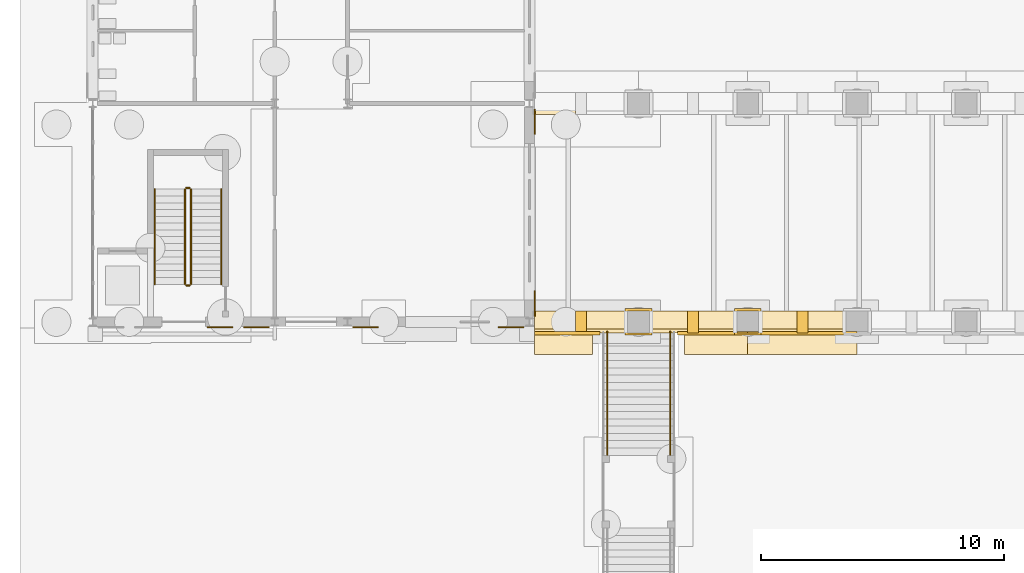
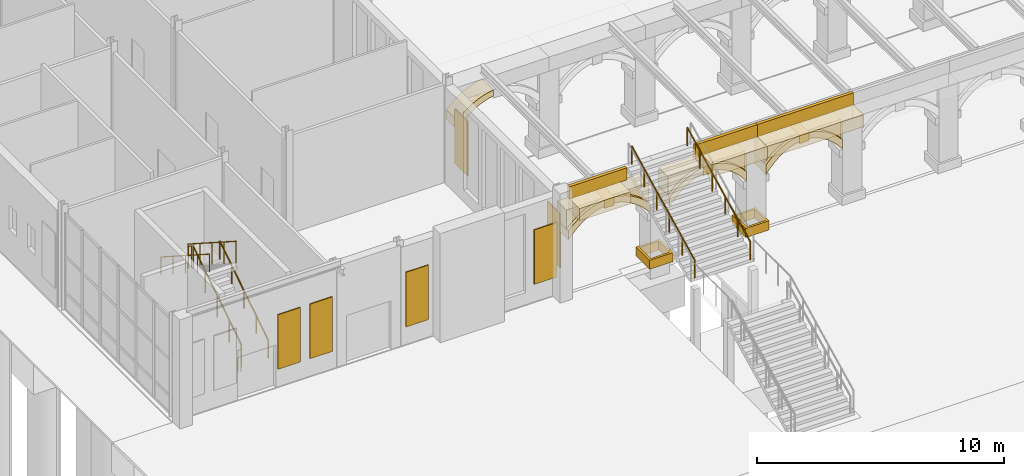
# One storey, part 124 of 168: 30 coverings, 8 railings.
"""IFC4 building model written with IfcOpenShell, lengths in metres."""

from ifc_helpers import new_model, si_unit, direction, frame, origin, origin_2d, place, context, subcontext, project, spatial, polyline, rectangle, circle, outline, extrude, material, layer, layer_set, material_profile, profile_set, type_object, element, save


model = new_model("IFC4")

# Units and contexts
model_context = context("Model", 3, precision=1e-05, world=origin(), true_north=direction((0.0, 1.0)))
body_context = subcontext(model_context, "Body", "Model", "MODEL_VIEW")
ifc_project = project(units=[si_unit("LENGTHUNIT", "METRE"), si_unit("AREAUNIT", "SQUARE_METRE"), si_unit("VOLUMEUNIT", "CUBIC_METRE"), si_unit("PLANEANGLEUNIT", "RADIAN"), si_unit("MASSUNIT", "GRAM", prefix="KILO")], contexts=[model_context])

# Site, building, storey
site_placement = place(None, origin())
site = spatial("IfcSite", under=ifc_project, at=site_placement, CompositionType="ELEMENT")
building_placement = place(site_placement, origin())
building = spatial("IfcBuilding", under=site, at=building_placement, Name="Golden Quay Civic Hall", CompositionType="ELEMENT")
storey_placement = place(building_placement, origin())
storey = spatial("IfcBuildingStorey", under=building, at=storey_placement, Name="L00", CompositionType="ELEMENT", Elevation=0.0)

# Coverings
ifc_material_1 = material(Name="Brick, dark clay facing", Category="masonry")
ifc_layer_1 = layer(ifc_material_1, 0.75)
ifc_layer_set_1 = layer_set([ifc_layer_1], Name="Brick arch spandrel infill 750")
covering_type_1 = type_object("IfcCoveringType", Name="Brick arch spandrel infill 750", PredefinedType="CLADDING", material=ifc_layer_set_1)
covering_1_placement = place(storey_placement, frame((18.199951171875, -9.300048828125, 3.1572265625), z_axis=(0.0, -1.0, 0.0), x_axis=(0.658056528973, 0.0, 0.752968528344)))
element("IfcCovering", 1, at=covering_1_placement, inside=storey, type_object=covering_type_1, Name="Arch spandrel outer bay 1 left", PredefinedType="CLADDING", context=body_context, shape_type="SweptSolid", body=[
    extrude(outline(polyline([(0.0, 0.0), (0.0385842612026579, 0.0), (0.4021525223351694, -0.03276039665791591), (0.7352018795032452, -0.09738057643804893), (1.0399151233174213, -0.19227712789255808), (1.3174647506449282, -0.31545263540967905), (1.568425423981958, -0.46608063545322176), (1.778152518425552, -0.6303723176978897), (1.8223660004242417, -0.6650096362183683), (1.8286162274661582, -0.659547252921231), (0.7099522598788931, 0.6204624792218898), (0.0, 0.0)])), origin(), (0.0, 0.0, -1.0), 0.75),
])
covering_2_placement = place(storey_placement, frame((20.35009765625, -9.300048828125, 4.091796875), z_axis=(0.0, -1.0, 0.0), x_axis=(0.982376592497, 0.0, -0.186912360519)))
element("IfcCovering", 2, at=covering_2_placement, inside=storey, type_object=covering_type_1, Name="Arch spandrel outer bay 1 right", PredefinedType="CLADDING", context=body_context, shape_type="SweptSolid", body=[
    extrude(outline(polyline([(0.0, 0.0), (0.05616561069495772, 0.0), (0.3225810962179613, -8.489841956726973e-06), (0.6130292018599638, -0.03620174733371928), (0.9074781455240727, -0.11040296603549432), (1.2058706207770802, -0.2236171309889091), (1.5078978096178108, -0.37813968321301317), (1.814301511987233, -0.5765632081953413), (1.8446749828176605, -0.600358112739552), (1.6684407210194774, 0.3258963795020623), (-0.001551518617591463, 0.0081544931994342), (0.0, 0.0)])), origin(), (0.0, 0.0, -1.0), 0.75),
])
covering_3_placement = place(storey_placement, frame((22.949951171875, -9.300048828125, 3.17578125), z_axis=(0.0, -1.0, 0.0), x_axis=(0.707106781187, 0.0, 0.707106781187)))
element("IfcCovering", 3, at=covering_3_placement, inside=storey, type_object=covering_type_1, Name="Arch spandrel outer bay 2 left", PredefinedType="CLADDING", context=body_context, shape_type="SweptSolid", body=[
    extrude(outline(polyline([(0.0, 0.0), (0.0006905339660024879, 0.0), (0.35182705567826755, 0.004143203796014933), (0.6755148522419337, -0.02468658928458889), (0.9739981590465092, -0.08528094480130727), (1.2481401435494968, -0.17608616133063437), (1.4988039732084, -0.29589380443206603), (1.7083810318901549, -0.4322742627175573), (1.760861613306344, -0.46645569403468046), (1.767249052491867, -0.4600682548491575), (0.6535903988213547, 0.6535903988213547), (0.0, 0.0)])), origin(), (0.0, 0.0, -1.0), 0.75),
])
covering_4_placement = place(storey_placement, frame((24.97509765625, -9.300048828125, 4.091064453125), z_axis=(0.0, -1.0, 0.0), x_axis=(0.97842552974, 0.0, -0.206599813053)))
element("IfcCovering", 4, at=covering_4_placement, inside=storey, type_object=covering_type_1, Name="Arch spandrel outer bay 2 right", PredefinedType="CLADDING", context=body_context, shape_type="SweptSolid", body=[
    extrude(outline(polyline([(0.0, 0.0), (0.06263051710363293, 1.734723475976807e-18), (0.31267483867747137, -0.0001008788149670925), (0.5881025541456739, -0.03651242089648961), (0.8673750848258303, -0.11003975339043703), (1.1505561937424948, -0.22216655622637274), (1.4375212099073598, -0.3746658221616902), (1.7294911476562997, -0.5697749671774053), (1.7300697733119603, -0.5701518352031314), (1.539106176579233, 0.3342229342292182), (-0.0018662580768914177, 0.008838316552825392), (0.0, 0.0)])), origin(), (0.0, 0.0, -1.0), 0.75),
])
covering_5_placement = place(storey_placement, frame((27.449951171875, -9.300048828125, 3.17578125), z_axis=(0.0, -1.0, 0.0), x_axis=(0.707106781187, 0.0, 0.707106781187)))
element("IfcCovering", 5, at=covering_5_placement, inside=storey, type_object=covering_type_1, Name="Arch spandrel outer bay 3 left", PredefinedType="CLADDING", context=body_context, shape_type="SweptSolid", body=[
    extrude(outline(polyline([(0.0, 0.0), (0.0006905339660024879, 0.0), (0.35182705567826755, 0.004143203796014933), (0.6755148522419337, -0.02468658928458889), (0.9739981590465092, -0.08528094480130727), (1.2481401435494968, -0.17608616133063437), (1.4988039732084, -0.29589380443206603), (1.7083810318901549, -0.4322742627175573), (1.760861613306344, -0.46645569403468046), (1.767249052491867, -0.4600682548491575), (0.6535903988213547, 0.6535903988213547), (0.0, 0.0)])), origin(), (0.0, 0.0, -1.0), 0.75),
])
covering_6_placement = place(storey_placement, frame((29.47509765625, -9.300048828125, 4.091064453125), z_axis=(0.0, -1.0, 0.0), x_axis=(0.97842552974, 0.0, -0.206599813053)))
element("IfcCovering", 6, at=covering_6_placement, inside=storey, type_object=covering_type_1, Name="Arch spandrel outer bay 3 right", PredefinedType="CLADDING", context=body_context, shape_type="SweptSolid", body=[
    extrude(outline(polyline([(0.0, 0.0), (0.06263051710363293, 1.734723475976807e-18), (0.31267483867747137, -0.0001008788149670925), (0.5881025541456739, -0.03651242089648961), (0.8673750848258303, -0.11003975339043703), (1.1505561937424948, -0.22216655622637274), (1.4375212099073598, -0.3746658221616902), (1.7294911476562997, -0.5697749671774053), (1.7300697733119603, -0.5701518352031314), (1.539106176579233, 0.3342229342292182), (-0.0018662580768914177, 0.008838316552825392), (0.0, 0.0)])), origin(), (0.0, 0.0, -1.0), 0.75),
])

# Railings
ifc_material_2 = material(Name="Stainless steel", Category="steel")
railing_type_1 = type_object("IfcRailingType", Name="Stainless steel handrail 900", PredefinedType="HANDRAIL", material=ifc_material_2)
for number, where, name in (
    (7, (21.199951171875, -14.5, 2.85009765625), "Stair handrail west"),
    (8, (23.800048828125, -14.5, 2.85009765625), "Stair handrail west"),
):
    element("IfcRailing", number, at=place(storey_placement, frame(where)), inside=storey, type_object=railing_type_1, Name=name, PredefinedType="HANDRAIL", context=body_context, shape_type="SweptSolid", body=[
        extrude(circle(Radius=0.0224609375, at=origin_2d()), frame((0.0, 0.0, 0.87744140625), z_axis=(0.0, 0.89444431709, 0.44717934168), x_axis=(-1.0, 0.0, 0.0)), (0.0, 0.0, 1.0), 5.701904296875),
        extrude(circle(Radius=0.02001953125, at=origin_2d()), origin(), (0.0, 0.0, 1.0), 0.85498046875),
        extrude(circle(Radius=0.02001953125, at=origin_2d()), frame((0.0, 1.02001953125, 0.510009765625)), (0.0, 0.0, 1.0), 0.85498046875),
        extrude(circle(Radius=0.02001953125, at=origin_2d()), frame((0.0, 2.0400390625, 1.02001953125)), (0.0, 0.0, 1.0), 0.85498046875),
        extrude(circle(Radius=0.02001953125, at=origin_2d()), frame((0.0, 3.06005859375, 1.52978515625)), (0.0, 0.0, 1.0), 0.85498046875),
        extrude(circle(Radius=0.02001953125, at=origin_2d()), frame((0.0, 4.080078125, 2.039794921875)), (0.0, 0.0, 1.0), 0.85498046875),
        extrude(circle(Radius=0.02001953125, at=origin_2d()), frame((0.0, 5.10009765625, 2.5498046875)), (0.0, 0.0, 1.0), 0.85498046875),
    ])
ifc_material_3 = material(Name="Steel S355", Category="steel")
railing_type_2 = type_object("IfcRailingType", Name="Steel guard 1100", PredefinedType="GUARDRAIL", material=ifc_material_3)
railing_1_placement = place(storey_placement, frame((4.050048828125, -7.449951171875, 0.179931640625)))
element("IfcRailing", 9, at=railing_1_placement, inside=storey, type_object=railing_type_2, Name="L00 WO-S stair guard 1", PredefinedType="GUARDRAIL", context=body_context, shape_type="SweptSolid", body=[
    extrude(circle(Radius=0.02392578125, at=origin_2d()), frame((0.0, 0.0, 1.076171875), z_axis=(0.0, 0.841171666519, 0.540768182723), x_axis=(-1.0, 0.0, 0.0)), (0.0, 0.0, 1.0), 4.66015625),
    extrude(circle(Radius=0.02099609375, at=origin_2d()), origin(), (0.0, 0.0, 1.0), 1.052001953125),
    extrude(circle(Radius=0.02099609375, at=origin_2d()), frame((0.0, 0.97998046875, 0.6298828125)), (0.0, 0.0, 1.0), 1.052001953125),
    extrude(circle(Radius=0.02099609375, at=origin_2d()), frame((0.0, 1.9599609375, 1.260009765625)), (0.0, 0.0, 1.0), 1.052001953125),
    extrude(circle(Radius=0.02099609375, at=origin_2d()), frame((0.0, 2.93994140625, 1.89013671875)), (0.0, 0.0, 1.0), 1.052001953125),
    extrude(circle(Radius=0.02099609375, at=origin_2d()), frame((0.0, 3.919921875, 2.52001953125)), (0.0, 0.0, 1.0), 1.052001953125),
])
railing_2_placement = place(storey_placement, frame((4.0, -3.47998046875, 2.699951171875)))
element("IfcRailing", 10, at=railing_2_placement, inside=storey, type_object=railing_type_2, Name="L00 WO-S stair guard 2", PredefinedType="GUARDRAIL", context=body_context, shape_type="SweptSolid", body=[
    extrude(circle(Radius=0.02392578125, at=origin_2d()), frame((0.0, 0.0, 1.076171875), z_axis=(-1.0, 0.0, 0.0), x_axis=(0.0, -1.0, 0.0)), (0.0, 0.0, 1.0), 0.14990234375),
    extrude(circle(Radius=0.02099609375, at=origin_2d()), origin(), (0.0, 0.0, 1.0), 1.052001953125),
    extrude(circle(Radius=0.02099609375, at=origin_2d()), frame((-0.14990234375, 0.0, 0.0)), (0.0, 0.0, 1.0), 1.052001953125),
])
railing_3_placement = place(storey_placement, frame((3.800048828125, -3.530029296875, 2.8798828125)))
element("IfcRailing", 11, at=railing_3_placement, inside=storey, type_object=railing_type_2, Name="L00 WO-S stair guard 3", PredefinedType="GUARDRAIL", context=body_context, shape_type="SweptSolid", body=[
    extrude(circle(Radius=0.02392578125, at=origin_2d()), frame((0.0, 0.0, 1.076171875), z_axis=(0.0, -0.841171666519, 0.540768182723), x_axis=(1.0, 0.0, 0.0)), (0.0, 0.0, 1.0), 4.66015625),
    extrude(circle(Radius=0.02099609375, at=origin_2d()), origin(), (0.0, 0.0, 1.0), 1.052001953125),
    extrude(circle(Radius=0.02099609375, at=origin_2d()), frame((0.0, -0.97998046875, 0.6298828125)), (0.0, 0.0, 1.0), 1.052001953125),
    extrude(circle(Radius=0.02099609375, at=origin_2d()), frame((0.0, -1.9599609375, 1.260009765625)), (0.0, 0.0, 1.0), 1.052001953125),
    extrude(circle(Radius=0.02099609375, at=origin_2d()), frame((0.0, -2.93994140625, 1.89013671875)), (0.0, 0.0, 1.0), 1.052001953125),
    extrude(circle(Radius=0.02099609375, at=origin_2d()), frame((0.0, -3.919921875, 2.52001953125)), (0.0, 0.0, 1.0), 1.052001953125),
])
railing_4_placement = place(storey_placement, frame((4.0, -7.5, 0.0)))
element("IfcRailing", 12, at=railing_4_placement, inside=storey, type_object=railing_type_2, Name="L00 WO-S stair guard 4", PredefinedType="GUARDRAIL", context=body_context, shape_type="SweptSolid", body=[
    extrude(circle(Radius=0.02392578125, at=origin_2d()), frame((0.0, 0.0, 1.076171875), z_axis=(-1.0, 0.0, 0.0), x_axis=(0.0, -1.0, 0.0)), (0.0, 0.0, 1.0), 0.14990234375),
    extrude(circle(Radius=0.02099609375, at=origin_2d()), origin(), (0.0, 0.0, 1.0), 1.052001953125),
    extrude(circle(Radius=0.02099609375, at=origin_2d()), frame((-0.14990234375, 0.0, 0.0)), (0.0, 0.0, 1.0), 1.052001953125),
])
ifc_material_4 = material(Name="Steel S355", Category="steel")
railing_type_3 = type_object("IfcRailingType", Name="Steel handrail 900", PredefinedType="HANDRAIL", material=ifc_material_4)
railing_5_placement = place(storey_placement, frame((5.300048828125, -7.449951171875, 0.179931640625)))
element("IfcRailing", 13, at=railing_5_placement, inside=storey, type_object=railing_type_3, Name="L00 WO-S stair handrail 1", PredefinedType="HANDRAIL", context=body_context, shape_type="SweptSolid", body=[
    extrude(circle(Radius=0.02392578125, at=origin_2d()), frame((0.0, 0.0, 0.8759765625), z_axis=(0.0, 0.841171666519, 0.540768182723), x_axis=(-1.0, 0.0, 0.0)), (0.0, 0.0, 1.0), 4.66015625),
    extrude(circle(Radius=0.02099609375, at=origin_2d()), origin(), (0.0, 0.0, 1.0), 0.851806640625),
    extrude(circle(Radius=0.02099609375, at=origin_2d()), frame((0.0, 0.97998046875, 0.6298828125)), (0.0, 0.0, 1.0), 0.851806640625),
    extrude(circle(Radius=0.02099609375, at=origin_2d()), frame((0.0, 1.9599609375, 1.260009765625)), (0.0, 0.0, 1.0), 0.851806640625),
    extrude(circle(Radius=0.02099609375, at=origin_2d()), frame((0.0, 2.93994140625, 1.89013671875)), (0.0, 0.0, 1.0), 0.851806640625),
    extrude(circle(Radius=0.02099609375, at=origin_2d()), frame((0.0, 3.919921875, 2.52001953125)), (0.0, 0.0, 1.0), 0.851806640625),
])
railing_6_placement = place(storey_placement, frame((2.550048828125, -3.530029296875, 2.8798828125)))
element("IfcRailing", 14, at=railing_6_placement, inside=storey, type_object=railing_type_3, Name="L00 WO-S stair handrail 2", PredefinedType="HANDRAIL", context=body_context, shape_type="SweptSolid", body=[
    extrude(circle(Radius=0.02392578125, at=origin_2d()), frame((0.0, 0.0, 0.8759765625), z_axis=(0.0, -0.841171666519, 0.540768182723), x_axis=(1.0, 0.0, 0.0)), (0.0, 0.0, 1.0), 4.66015625),
    extrude(circle(Radius=0.02099609375, at=origin_2d()), origin(), (0.0, 0.0, 1.0), 0.851806640625),
    extrude(circle(Radius=0.02099609375, at=origin_2d()), frame((0.0, -0.97998046875, 0.6298828125)), (0.0, 0.0, 1.0), 0.851806640625),
    extrude(circle(Radius=0.02099609375, at=origin_2d()), frame((0.0, -1.9599609375, 1.260009765625)), (0.0, 0.0, 1.0), 0.851806640625),
    extrude(circle(Radius=0.02099609375, at=origin_2d()), frame((0.0, -2.93994140625, 1.89013671875)), (0.0, 0.0, 1.0), 0.851806640625),
    extrude(circle(Radius=0.02099609375, at=origin_2d()), frame((0.0, -3.919921875, 2.52001953125)), (0.0, 0.0, 1.0), 0.851806640625),
])

# Coverings
ifc_material_5 = material(Name="Stone, buff limestone", Category="masonry")
ifc_layer_2 = layer(ifc_material_5, 0.89990234375)
ifc_layer_set_2 = layer_set([ifc_layer_2], Name="Stone arch keystone 450 x 420")
covering_type_2 = type_object("IfcCoveringType", Name="Stone arch keystone 450 x 420", PredefinedType="CLADDING", material=ifc_layer_set_2)
for number, where, z_axis, x_axis, name in (
    (15, (19.89990234375, -9.449951171875, 3.679931640625), (0.0, -1.0, 0.0), (1.0, 0.0, 0.0), "Arch keystone outer bay 1 crown"),
    (16, (24.52490234375, -9.449951171875, 3.679931640625), (0.0, -1.0, 0.0), (1.0, 0.0, 0.0), "Arch keystone outer bay 2 crown"),
    (17, (29.02490234375, -9.449951171875, 3.679931640625), (0.0, -1.0, 0.0), (1.0, 0.0, 0.0), "Arch keystone outer bay 3 crown"),
):
    element("IfcCovering", number, at=place(storey_placement, frame(where, z_axis=z_axis, x_axis=x_axis)), inside=storey, type_object=covering_type_2, Name=name, PredefinedType="CLADDING", context=body_context, shape_type="SweptSolid", body=[
        extrude(outline(polyline([(0.0, 0.0), (0.4501953125, 0.0), (0.4501953125, 0.420166015625), (0.0, 0.420166015625), (0.0, 0.0)])), origin(), (0.0, 0.0, -1.0), 0.89990234375),
    ])
ifc_material_6 = material(Name="Stone, buff limestone", Category="masonry")
ifc_layer_3 = layer(ifc_material_6, 0.89990234375)
ifc_layer_set_3 = layer_set([ifc_layer_3], Name="Stone arch ring 900 x 300")
covering_type_3 = type_object("IfcCoveringType", Name="Stone arch ring 900 x 300", PredefinedType="CLADDING", material=ifc_layer_set_3)
covering_7_placement = place(storey_placement, frame((18.199951171875, -9.449951171875, 2.699951171875), z_axis=(0.0, -1.0, 0.0), x_axis=(0.655607573195, 0.0, 0.75510178782)))
element("IfcCovering", 18, at=covering_7_placement, inside=storey, type_object=covering_type_3, Name="Arch ring outer bay 1 left", PredefinedType="CLADDING", context=body_context, shape_type="SweptSolid", body=[
    extrude(outline(polyline([(0.0, 0.0), (0.37052641215113535, 0.0), (0.7049200239085212, -0.03137184676420662), (1.0065234442554076, -0.09089004085938673), (1.2786064104358172, -0.17636231724758233), (1.5230367232536635, -0.2858436600369565), (1.7414735419107, -0.41789352524343826), (1.934862912098755, -0.5713671991885638), (2.165486041142534, -0.37113158540273483), (2.1213852871341565, -0.3363508533714772), (1.9121928840139812, -0.1713788876459601), (1.6617227426728611, -0.019936613972285855), (1.3845746275894437, 0.1041396673527406), (1.0801711951167352, 0.2000253635360042), (0.7473334673810057, 0.26572687752618274), (0.3838735226929925, 0.29966789547627354), (0.3452894649872084, 0.2997932091293825), (0.0, 0.0)])), origin(), (0.0, 0.0, -1.0), 0.89990234375),
])
covering_8_placement = place(storey_placement, frame((20.35009765625, -9.449951171875, 3.786376953125), z_axis=(0.0, -1.0, 0.0), x_axis=(0.982939290351, 0.0, -0.183930289744)))
element("IfcCovering", 19, at=covering_8_placement, inside=storey, type_object=covering_type_3, Name="Arch ring outer bay 1 right", PredefinedType="CLADDING", context=body_context, shape_type="SweptSolid", body=[
    extrude(outline(polyline([(0.0, 0.0), (0.24688786340350402, 0.0), (0.5000778577654419, -0.03235177585634241), (0.759599436808497, -0.09854008490102112), (1.0258567442357194, -0.20072470584818516), (1.2991037580492646, -0.34159027309324475), (1.5805389067688107, -0.5248865835273426), (1.8707754072436686, -0.7552180748473547), (1.7866686121533664, -0.30574412689165364), (1.7563674913828704, -0.28185715779537124), (1.4505673541333268, -0.0825047057154874), (1.1490104843418525, 0.07293369438710287), (0.8509629531809246, 0.18705286719602054), (0.5567405431855433, 0.2621473059930982), (0.26640361034481397, 0.2992218172849632), (-1.0622654082560745e-05, 0.3000387959534945), (-0.05617597472395519, 0.30020924126672827), (0.0, 0.0)])), origin(), (0.0, 0.0, -1.0), 0.89990234375),
])
covering_9_placement = place(storey_placement, frame((22.949951171875, -9.449951171875, 2.699951171875), z_axis=(0.0, -1.0, 0.0), x_axis=(0.630180832165, 0.0, 0.776448400585)))
element("IfcCovering", 20, at=covering_9_placement, inside=storey, type_object=covering_type_3, Name="Arch ring outer bay 2 left", PredefinedType="CLADDING", context=body_context, shape_type="SweptSolid", body=[
    extrude(outline(polyline([(0.0, 0.0), (0.3571953394339093, 0.0), (0.6778408073481526, -0.02935016390994566), (0.9656562359875701, -0.08566026756533418), (1.2233312115769217, -0.1664329572349489), (1.452986632547569, -0.2696324374142566), (1.6564467051663616, -0.39440701136103273), (1.8345410995356382, -0.5394544374263122), (2.0726317223713804, -0.3462153931881483), (2.023967866388838, -0.30678937647863513), (1.8296201479431229, -0.14946443483618055), (1.5926919309667726, -0.004373956702034887), (1.3294118430005957, 0.11429790304869314), (1.038796361200025, 0.20543846536483718), (0.7198262528649223, 0.2675916358552039), (0.37014433379061235, 0.2997875748909126), (0.36945750311055836, 0.2998589946020553), (0.0, 0.0)])), origin(), (0.0, 0.0, -1.0), 0.89990234375),
])
covering_10_placement = place(storey_placement, frame((24.97509765625, -9.449951171875, 3.784423828125), z_axis=(0.0, -1.0, 0.0), x_axis=(0.978953882547, 0.0, -0.20408159115)))
element("IfcCovering", 21, at=covering_10_placement, inside=storey, type_object=covering_type_3, Name="Arch ring outer bay 2 right", PredefinedType="CLADDING", context=body_context, shape_type="SweptSolid", body=[
    extrude(outline(polyline([(0.0, 0.0), (0.22968754671057404, 0.0), (0.4662407685933837, -0.031737496286033756), (0.7094806084662527, -0.09674615254891705), (0.9602836680123576, -0.19683833887607075), (1.2190088401055397, -0.33493190882748347), (1.486164491441282, -0.5146617232013373), (1.7631254697749046, -0.7402301762123651), (1.666017310314196, -0.27441447379927847), (1.665439656274305, -0.27403611818824464), (1.3739727106559259, -0.07817636573824266), (1.0874010326963535, 0.07506077076837225), (0.8045093690852512, 0.18791584163726896), (0.5254269523975812, 0.26216151297199447), (0.25009383740278873, 0.29928162385615015), (5.060311670204709e-05, 0.3000258789264141), (-0.06257970666118522, 0.30018703039037287), (0.0, 0.0)])), origin(), (0.0, 0.0, -1.0), 0.89990234375),
])
covering_11_placement = place(storey_placement, frame((27.449951171875, -9.449951171875, 2.699951171875), z_axis=(0.0, -1.0, 0.0), x_axis=(0.630180832165, 0.0, 0.776448400585)))
element("IfcCovering", 22, at=covering_11_placement, inside=storey, type_object=covering_type_3, Name="Arch ring outer bay 3 left", PredefinedType="CLADDING", context=body_context, shape_type="SweptSolid", body=[
    extrude(outline(polyline([(0.0, 0.0), (0.3571953394339093, 0.0), (0.6778408073481526, -0.02935016390994566), (0.9656562359875701, -0.08566026756533418), (1.2233312115769217, -0.1664329572349489), (1.452986632547569, -0.2696324374142566), (1.6564467051663616, -0.39440701136103273), (1.8345410995356382, -0.5394544374263122), (2.0726317223713804, -0.3462153931881483), (2.023967866388838, -0.30678937647863513), (1.8296201479431229, -0.14946443483618055), (1.5926919309667726, -0.004373956702034887), (1.3294118430005957, 0.11429790304869314), (1.038796361200025, 0.20543846536483718), (0.7198262528649223, 0.2675916358552039), (0.37014433379061235, 0.2997875748909126), (0.36945750311055836, 0.2998589946020553), (0.0, 0.0)])), origin(), (0.0, 0.0, -1.0), 0.89990234375),
])
covering_12_placement = place(storey_placement, frame((29.47509765625, -9.449951171875, 3.784423828125), z_axis=(0.0, -1.0, 0.0), x_axis=(0.978953882547, 0.0, -0.20408159115)))
element("IfcCovering", 23, at=covering_12_placement, inside=storey, type_object=covering_type_3, Name="Arch ring outer bay 3 right", PredefinedType="CLADDING", context=body_context, shape_type="SweptSolid", body=[
    extrude(outline(polyline([(0.0, 0.0), (0.22968754671057404, 0.0), (0.4662407685933837, -0.031737496286033756), (0.7094806084662527, -0.09674615254891705), (0.9602836680123576, -0.19683833887607075), (1.2190088401055397, -0.33493190882748347), (1.486164491441282, -0.5146617232013373), (1.7631254697749046, -0.7402301762123651), (1.666017310314196, -0.27441447379927847), (1.665439656274305, -0.27403611818824464), (1.3739727106559259, -0.07817636573824266), (1.0874010326963535, 0.07506077076837225), (0.8045093690852512, 0.18791584163726896), (0.5254269523975812, 0.26216151297199447), (0.25009383740278873, 0.29928162385615015), (5.060311670204709e-05, 0.3000258789264141), (-0.06257970666118522, 0.30018703039037287), (0.0, 0.0)])), origin(), (0.0, 0.0, -1.0), 0.89990234375),
])
covering_13_placement = place(storey_placement, frame((18.199951171875, -0.449951171875, 2.699951171875), z_axis=(0.0, -1.0, 0.0), x_axis=(0.655607573195, 0.0, 0.75510178782)))
element("IfcCovering", 24, at=covering_13_placement, inside=storey, type_object=covering_type_3, Name="Arch ring inner0 bay 1 left", PredefinedType="CLADDING", context=body_context, shape_type="SweptSolid", body=[
    extrude(outline(polyline([(0.0, 0.0), (0.37052641215113535, 0.0), (0.7049200239085212, -0.03137184676420662), (1.0065234442554076, -0.09089004085938673), (1.2786064104358172, -0.17636231724758233), (1.5230367232536635, -0.2858436600369565), (1.7414735419107, -0.41789352524343826), (1.934862912098755, -0.5713671991885638), (2.165486041142534, -0.37113158540273483), (2.1213852871341565, -0.3363508533714772), (1.9121928840139812, -0.1713788876459601), (1.6617227426728611, -0.019936613972285855), (1.3845746275894437, 0.1041396673527406), (1.0801711951167352, 0.2000253635360042), (0.7473334673810057, 0.26572687752618274), (0.3838735226929925, 0.29966789547627354), (0.3452894649872084, 0.2997932091293825), (0.0, 0.0)])), origin(), (0.0, 0.0, -1.0), 0.89990234375),
])
ifc_material_7 = material(Name="Stone, buff limestone", Category="masonry")
ifc_material_profile_1 = material_profile(ifc_material_7, rectangle(XDim=0.89990234375, YDim=0.60009765625, at=origin_2d()), Name="RC 900x600")
ifc_profile_set_1 = profile_set([ifc_material_profile_1], Name="Stone, buff limestone")
covering_type_4 = type_object("IfcCoveringType", Name="Stone cornice 900 x 600", PredefinedType="MOLDING", material=ifc_profile_set_1)
covering_14_placement = place(storey_placement, frame((18.199951171875, -9.89990234375, 4.5), z_axis=(1.0, 0.0, 0.0), x_axis=(0.0, 1.0, 0.0)))
element("IfcCovering", 25, at=covering_14_placement, inside=storey, type_object=covering_type_4, Name="Stone cornice outer bay 1", PredefinedType="MOLDING", context=body_context, shape_type="SweptSolid", body=[
    extrude(rectangle(XDim=0.89990234375, YDim=0.60009765625, at=origin_2d()), origin(), (0.0, 0.0, 1.0), 2.400146484375),
])
covering_15_placement = place(storey_placement, frame((24.39990234375, -9.89990234375, 4.5), z_axis=(1.0, 0.0, 0.0), x_axis=(0.0, 1.0, 0.0)))
element("IfcCovering", 26, at=covering_15_placement, inside=storey, type_object=covering_type_4, Name="Stone cornice outer bay 2", PredefinedType="MOLDING", context=body_context, shape_type="SweptSolid", body=[
    extrude(rectangle(XDim=0.89990234375, YDim=0.60009765625, at=origin_2d()), origin(), (0.0, 0.0, 1.0), 2.60009765625),
])
covering_16_placement = place(storey_placement, frame((27.0, -9.89990234375, 4.5), z_axis=(1.0, 0.0, 0.0), x_axis=(0.0, 1.0, 0.0)))
element("IfcCovering", 27, at=covering_16_placement, inside=storey, type_object=covering_type_4, Name="Stone cornice outer bay 3", PredefinedType="MOLDING", context=body_context, shape_type="SweptSolid", body=[
    extrude(rectangle(XDim=0.89990234375, YDim=0.60009765625, at=origin_2d()), origin(), (0.0, 0.0, 1.0), 4.5),
])
ifc_material_8 = material(Name="Stone, buff limestone", Category="masonry")
ifc_layer_4 = layer(ifc_material_8, 0.449951171875)
ifc_layer_set_4 = layer_set([ifc_layer_4], Name="Stone pier plinth 450")
covering_type_5 = type_object("IfcCoveringType", Name="Stone pier plinth 450", PredefinedType="CLADDING", material=ifc_layer_set_4)
covering_17_placement = place(storey_placement, origin())
element("IfcCovering", 28, at=covering_17_placement, inside=storey, type_object=covering_type_5, Name="Pier plinth outer 22.5", PredefinedType="CLADDING", context=body_context, shape_type="SweptSolid", body=[
    extrude(outline(polyline([(21.949951171875, -9.550048828125), (23.050048828125, -9.550048828125), (23.050048828125, -8.449951171875), (21.949951171875, -8.449951171875), (21.949951171875, -9.550048828125)]), holes=[polyline([(22.050048828125, -9.449951171875), (22.949951171875, -9.449951171875), (22.949951171875, -8.550048828125), (22.050048828125, -8.550048828125), (22.050048828125, -9.449951171875)])]), origin(), (0.0, 0.0, 1.0), 0.449951171875),
])
covering_18_placement = place(storey_placement, origin())
element("IfcCovering", 29, at=covering_18_placement, inside=storey, type_object=covering_type_5, Name="Pier plinth outer 27", PredefinedType="CLADDING", context=body_context, shape_type="SweptSolid", body=[
    extrude(outline(polyline([(26.449951171875, -9.550048828125), (27.550048828125, -9.550048828125), (27.550048828125, -8.449951171875), (26.449951171875, -8.449951171875), (26.449951171875, -9.550048828125)]), holes=[polyline([(26.550048828125, -9.449951171875), (27.449951171875, -9.449951171875), (27.449951171875, -8.550048828125), (26.550048828125, -8.550048828125), (26.550048828125, -9.449951171875)])]), origin(), (0.0, 0.0, 1.0), 0.449951171875),
])
ifc_material_9 = material(Name="Stone, buff limestone", Category="masonry")
ifc_material_profile_2 = material_profile(ifc_material_9, rectangle(XDim=0.14990234375, YDim=0.60009765625, at=origin_2d()), Name="RC 150x600")
ifc_profile_set_2 = profile_set([ifc_material_profile_2], Name="Stone, buff limestone")
covering_type_6 = type_object("IfcCoveringType", Name="Stone terrace fascia 150 x 600", PredefinedType="CLADDING", material=ifc_profile_set_2)
covering_19_placement = place(storey_placement, frame((18.199951171875, -9.47509765625, 5.10009765625), z_axis=(1.0, 0.0, 0.0), x_axis=(0.0, 1.0, 0.0)))
element("IfcCovering", 30, at=covering_19_placement, inside=storey, type_object=covering_type_6, Name="Terrace fascia bay 1", PredefinedType="CLADDING", context=body_context, shape_type="SweptSolid", body=[
    extrude(rectangle(XDim=0.14990234375, YDim=0.60009765625, at=origin_2d()), origin(), (0.0, 0.0, 1.0), 2.699951171875),
])
covering_20_placement = place(storey_placement, frame((24.10009765625, -9.47509765625, 5.10009765625), z_axis=(1.0, 0.0, 0.0), x_axis=(0.0, 1.0, 0.0)))
element("IfcCovering", 31, at=covering_20_placement, inside=storey, type_object=covering_type_6, Name="Terrace fascia bay 2", PredefinedType="CLADDING", context=body_context, shape_type="SweptSolid", body=[
    extrude(rectangle(XDim=0.14990234375, YDim=0.60009765625, at=origin_2d()), origin(), (0.0, 0.0, 1.0), 2.89990234375),
])
covering_21_placement = place(storey_placement, frame((27.0, -9.47509765625, 5.10009765625), z_axis=(1.0, 0.0, 0.0), x_axis=(0.0, 1.0, 0.0)))
element("IfcCovering", 32, at=covering_21_placement, inside=storey, type_object=covering_type_6, Name="Terrace fascia bay 3", PredefinedType="CLADDING", context=body_context, shape_type="SweptSolid", body=[
    extrude(rectangle(XDim=0.14990234375, YDim=0.60009765625, at=origin_2d()), origin(), (0.0, 0.0, 1.0), 4.5),
])
ifc_material_10 = material(Name="Terracotta cladding, golden glaze", Category="masonry")
ifc_layer_5 = layer(ifc_material_10, 0.050048828125)
ifc_layer_set_5 = layer_set([ifc_layer_5], Name="Terracotta solid panel 1050 x 2700 x 50")
covering_type_7 = type_object("IfcCoveringType", Name="Terracotta solid panel 1050 x 2700 x 50", PredefinedType="CLADDING", material=ifc_layer_set_5)
covering_22_placement = place(storey_placement, frame((0.0, 0.0, 0.89990234375)))
element("IfcCovering", 33, at=covering_22_placement, inside=storey, type_object=covering_type_7, Name="Terracotta solid panel 1050 x 2700 x 50 L00 13", PredefinedType="CLADDING", context=body_context, shape_type="SweptSolid", body=[
    extrude(outline(polyline([(18.199951171875, -8.77490234375), (18.199951171875, -7.72509765625), (18.25, -7.72509765625), (18.25, -8.77490234375), (18.199951171875, -8.77490234375)])), origin(), (0.0, 0.0, 1.0), 2.7001953125),
])
covering_23_placement = place(storey_placement, frame((0.0, 0.0, 0.89990234375)))
element("IfcCovering", 34, at=covering_23_placement, inside=storey, type_object=covering_type_7, Name="Terracotta solid panel 1050 x 2700 x 50 L00 14", PredefinedType="CLADDING", context=body_context, shape_type="SweptSolid", body=[
    extrude(outline(polyline([(18.199951171875, -1.27490234375), (18.199951171875, -0.22509765625), (18.25, -0.22509765625), (18.25, -1.27490234375), (18.199951171875, -1.27490234375)])), origin(), (0.0, 0.0, 1.0), 2.7001953125),
])
covering_24_placement = place(storey_placement, frame((0.0, 0.0, 0.89990234375)))
element("IfcCovering", 35, at=covering_24_placement, inside=storey, type_object=covering_type_7, Name="Terracotta solid panel 1050 x 2700 x 50 L00 19", PredefinedType="CLADDING", context=body_context, shape_type="SweptSolid", body=[
    extrude(outline(polyline([(4.72509765625, -9.199951171875), (5.77490234375, -9.199951171875), (5.77490234375, -9.25), (4.72509765625, -9.25), (4.72509765625, -9.199951171875)])), origin(), (0.0, 0.0, 1.0), 2.7001953125),
])
covering_25_placement = place(storey_placement, frame((0.0, 0.0, 0.89990234375)))
element("IfcCovering", 36, at=covering_25_placement, inside=storey, type_object=covering_type_7, Name="Terracotta solid panel 1050 x 2700 x 50 L00 20", PredefinedType="CLADDING", context=body_context, shape_type="SweptSolid", body=[
    extrude(outline(polyline([(6.22509765625, -9.199951171875), (7.27490234375, -9.199951171875), (7.27490234375, -9.25), (6.22509765625, -9.25), (6.22509765625, -9.199951171875)])), origin(), (0.0, 0.0, 1.0), 2.7001953125),
])
covering_26_placement = place(storey_placement, frame((0.0, 0.0, 0.89990234375)))
element("IfcCovering", 37, at=covering_26_placement, inside=storey, type_object=covering_type_7, Name="Terracotta solid panel 1050 x 2700 x 50 L00 21", PredefinedType="CLADDING", context=body_context, shape_type="SweptSolid", body=[
    extrude(outline(polyline([(10.72509765625, -9.199951171875), (11.77490234375, -9.199951171875), (11.77490234375, -9.25), (10.72509765625, -9.25), (10.72509765625, -9.199951171875)])), origin(), (0.0, 0.0, 1.0), 2.7001953125),
])
covering_27_placement = place(storey_placement, frame((0.0, 0.0, 0.89990234375)))
element("IfcCovering", 38, at=covering_27_placement, inside=storey, type_object=covering_type_7, Name="Terracotta solid panel 1050 x 2700 x 50 L00 22", PredefinedType="CLADDING", context=body_context, shape_type="SweptSolid", body=[
    extrude(outline(polyline([(16.72509765625, -9.199951171875), (17.77490234375, -9.199951171875), (17.77490234375, -9.25), (16.72509765625, -9.25), (16.72509765625, -9.199951171875)])), origin(), (0.0, 0.0, 1.0), 2.7001953125),
])

save(model, "model.ifc")
